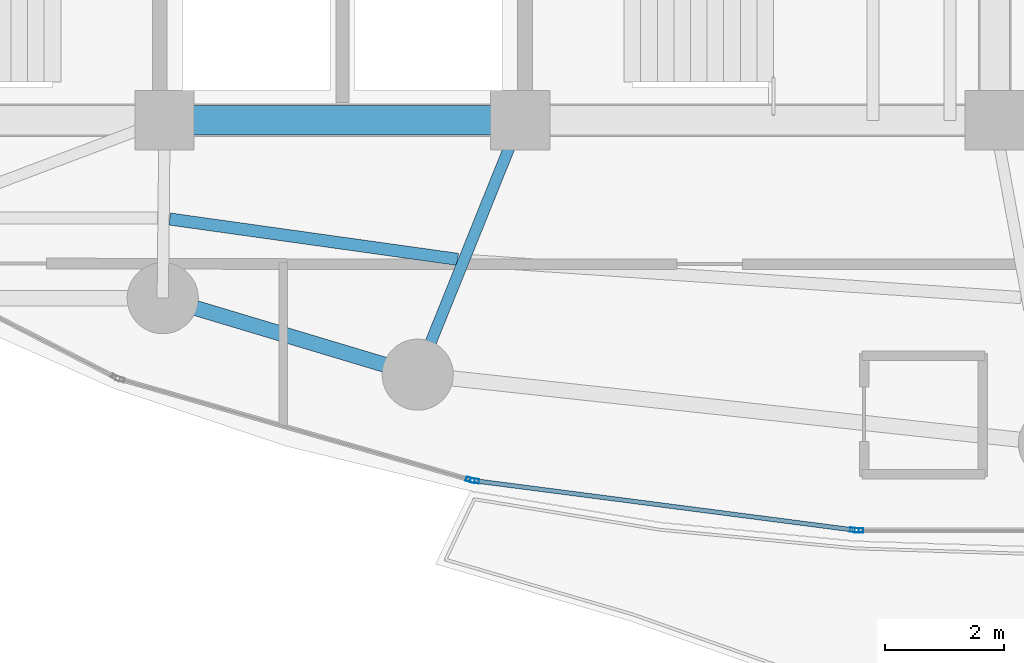
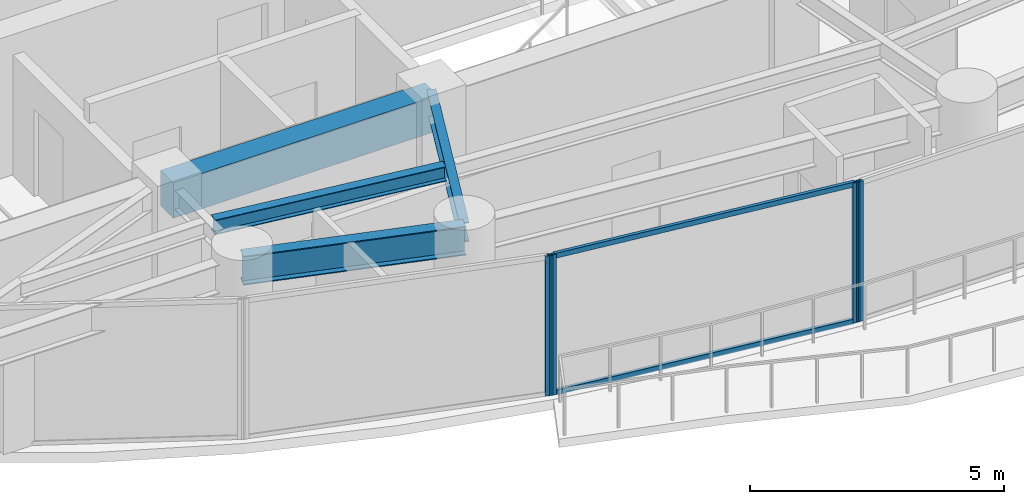
# One storey, part 5 of 30: 6 members, 4 beams, 3 elements without a shape of their own.
"""IFC4 building model written with IfcOpenShell, lengths in metres."""

from ifc_helpers import new_model, si_unit, direction, frame, origin, origin_2d, place, context, subcontext, project, spatial, rectangle, hollow_rectangle, i_section, extrude, material, layer, layer_set, material_profile, profile_set, type_object, element, aggregate, save


model = new_model("IFC4")

# Units and contexts
model_context = context("Model", 3, precision=1e-05, world=origin(), true_north=direction((0.0, 1.0)))
body_context = subcontext(model_context, "Body", "Model", "MODEL_VIEW")
ifc_project = project(units=[si_unit("LENGTHUNIT", "METRE"), si_unit("AREAUNIT", "SQUARE_METRE"), si_unit("VOLUMEUNIT", "CUBIC_METRE"), si_unit("PLANEANGLEUNIT", "RADIAN"), si_unit("MASSUNIT", "GRAM", prefix="KILO")], contexts=[model_context])

# Site, building, storey
site_placement = place(None, origin())
site = spatial("IfcSite", under=ifc_project, at=site_placement, CompositionType="ELEMENT")
building_placement = place(site_placement, origin())
building = spatial("IfcBuilding", under=site, at=building_placement, Name="Kazevale Care Tower and Concert Hall", CompositionType="ELEMENT")
storey_placement = place(building_placement, frame((0.0, 0.0, 113.39990234375)))
storey = spatial("IfcBuildingStorey", under=building, at=storey_placement, Name="L29", CompositionType="ELEMENT", Elevation=113.39990234375)

# Curtain wall, member
ifc_material_1 = material(Name="Aluminium 6063-T6 and Low-E Glass", Category="aluminium")
ifc_layer = layer(ifc_material_1, 0.179931640625)
ifc_layer_set = layer_set([ifc_layer], Name="Aluminium 6063-T6 and Low-E Glass")
curtain_wall_type = type_object("IfcCurtainWallType", Name="Sheltered Concave Balcony Curtain Wall CW-5", PredefinedType="NOTDEFINED", material=ifc_layer_set)
curtain_wall_1_placement = place(storey_placement, origin())
curtain_wall_1 = element("IfcCurtainWall", 1, at=curtain_wall_1_placement, inside=storey, type_object=curtain_wall_type, Name="cw:L29:f06", PredefinedType="NOTDEFINED")
ifc_material_2 = material(Name="Aluminium 6063-T6", Category="aluminium")
ifc_material_profile_1 = material_profile(ifc_material_2, hollow_rectangle(XDim=0.074951171875, YDim=0.14990234375, WallThickness=0.00390625, at=origin_2d()), Name="ALU75x150x4")
ifc_profile_set_1 = profile_set([ifc_material_profile_1], Name="Aluminium 6063-T6")
member_type_1 = type_object("IfcMemberType", Name="CW-5 Mullion ALU75x150x4", PredefinedType="MULLION", material=ifc_profile_set_1)
member_1_placement = place(storey_placement, frame((41.71240234375, 16.68408203125, 0.0), z_axis=(0.0, 0.0, 1.0), x_axis=(0.0, -1.0, 0.0)))
member_1 = element("IfcMember", 2, at=member_1_placement, type_object=member_type_1, Name="CW-5 mullion 2", PredefinedType="MULLION", context=body_context, shape_type="SweptSolid", body=[
    extrude(hollow_rectangle(XDim=0.074951171875, YDim=0.14990234375, WallThickness=0.00390625, at=origin_2d()), origin(), (0.0, 0.0, 1.0), 3.360107421875),
])
aggregate(curtain_wall_1, [member_1])

# Curtain wall, members
curtain_wall_2_placement = place(storey_placement, origin())
curtain_wall_2 = element("IfcCurtainWall", 3, at=curtain_wall_2_placement, inside=storey, type_object=curtain_wall_type, Name="cw:L29:f07", PredefinedType="NOTDEFINED")
member_2_placement = place(storey_placement, frame((41.6376953125, 16.688720703125, 0.0), z_axis=(0.0, 0.0, 1.0), x_axis=(-0.12868500567, -0.991685519364, 0.0)))
member_2 = element("IfcMember", 4, at=member_2_placement, type_object=member_type_1, Name="CW-5 mullion 1", PredefinedType="MULLION", context=body_context, shape_type="SweptSolid", body=[
    extrude(hollow_rectangle(XDim=0.074951171875, YDim=0.14990234375, WallThickness=0.00390625, at=origin_2d()), origin(), (0.0, 0.0, 1.0), 3.360107421875),
])
member_3_placement = place(storey_placement, frame((35.231201171875, 17.520263671875, 0.0), z_axis=(0.0, 0.0, 1.0), x_axis=(-0.12868500567, -0.991685519364, 0.0)))
member_3 = element("IfcMember", 5, at=member_3_placement, type_object=member_type_1, Name="CW-5 mullion 2", PredefinedType="MULLION", context=body_context, shape_type="SweptSolid", body=[
    extrude(hollow_rectangle(XDim=0.074951171875, YDim=0.14990234375, WallThickness=0.00390625, at=origin_2d()), origin(), (0.0, 0.0, 1.0), 3.360107421875),
])

# Curtain wall, member
curtain_wall_3_placement = place(storey_placement, origin())
curtain_wall_3 = element("IfcCurtainWall", 6, at=curtain_wall_3_placement, inside=storey, type_object=curtain_wall_type, Name="cw:L29:f08", PredefinedType="NOTDEFINED")
member_4_placement = place(storey_placement, frame((35.157958984375, 17.535400390625, 0.0), z_axis=(0.0, 0.0, 1.0), x_axis=(-0.276290733172, -0.961074102639, 0.0)))
member_4 = element("IfcMember", 7, at=member_4_placement, type_object=member_type_1, Name="CW-5 mullion 1", PredefinedType="MULLION", context=body_context, shape_type="SweptSolid", body=[
    extrude(hollow_rectangle(XDim=0.074951171875, YDim=0.14990234375, WallThickness=0.00390625, at=origin_2d()), origin(), (0.0, 0.0, 1.0), 3.360107421875),
])
aggregate(curtain_wall_3, [member_4])

# Member
ifc_material_profile_2 = material_profile(ifc_material_2, hollow_rectangle(XDim=0.074951171875, YDim=0.1201171875, WallThickness=0.00390625, at=origin_2d()), Name="ALU75x120x4")
ifc_profile_set_2 = profile_set([ifc_material_profile_2], Name="Aluminium 6063-T6")
member_type_2 = type_object("IfcMemberType", Name="CW-5 Transom ALU75x120x4", PredefinedType="USERDEFINED", material=ifc_profile_set_2)
member_5_placement = place(storey_placement, frame((41.6005859375, 16.693603515625, 0.03759765625), z_axis=(-0.991683991743, 0.12869677743, 0.0), x_axis=(-0.12869677743, -0.991683991743, 0.0)))
member_5 = element("IfcMember", 8, at=member_5_placement, type_object=member_type_2, Name="CW-5 transom 1.1", ObjectType="TRANSOM", PredefinedType="USERDEFINED", context=body_context, shape_type="SweptSolid", body=[
    extrude(hollow_rectangle(XDim=0.074951171875, YDim=0.1201171875, WallThickness=0.00390625, at=origin_2d()), origin(), (0.0, 0.0, 1.0), 6.385498046875),
])

member_6_placement = place(storey_placement, frame((41.6005859375, 16.693603515625, 3.322509765625), z_axis=(-0.991683991743, 0.12869677743, 0.0), x_axis=(-0.12869677743, -0.991683991743, 0.0)))
member_6 = element("IfcMember", 9, at=member_6_placement, type_object=member_type_2, Name="CW-5 transom 1.2", ObjectType="TRANSOM", PredefinedType="USERDEFINED", context=body_context, shape_type="SweptSolid", body=[
    extrude(hollow_rectangle(XDim=0.074951171875, YDim=0.1201171875, WallThickness=0.00390625, at=origin_2d()), origin(), (0.0, 0.0, 1.0), 6.385498046875),
])

aggregate(curtain_wall_2, [member_2, member_3, member_5, member_6])

# Beams
ifc_material_3 = material(Name="Concrete C60", Category="concrete")
ifc_material_profile_3 = material_profile(ifc_material_3, rectangle(XDim=0.5, YDim=0.85009765625, at=origin_2d()), Name="RC-B500x850")
ifc_profile_set_3 = profile_set([ifc_material_profile_3], Name="Concrete C60")
beam_type_1 = type_object("IfcBeamType", Name="Core Coupling Beam RC500x850", PredefinedType="LINTEL", material=ifc_profile_set_3)
beam_1_placement = place(storey_placement, frame((30.0, 23.60009765625, 2.93505859375), z_axis=(1.0, 0.0, 0.0), x_axis=(0.0, 1.0, 0.0)))
element("IfcBeam", 10, at=beam_1_placement, inside=storey, type_object=beam_type_1, Name="beam:L29:coretie:2", PredefinedType="LINTEL", context=body_context, shape_type="SweptSolid", body=[
    extrude(rectangle(XDim=0.5, YDim=0.85009765625, at=origin_2d()), origin(), (0.0, 0.0, 1.0), 6.0),
])
ifc_material_4 = material(Name="Steel ASTM A572 Gr 50", Category="steel")
ifc_material_profile_4 = material_profile(ifc_material_4, i_section(OverallWidth=0.19091796875, OverallDepth=0.4599609375, WebThickness=0.010009765625, FlangeThickness=0.01611328125, at=origin_2d()), Name="W460x82")
ifc_profile_set_4 = profile_set([ifc_material_profile_4], Name="Steel ASTM A572 Gr 50")
beam_type_2 = type_object("IfcBeamType", Name="Radial Floor Beam W460x82", PredefinedType="BEAM", material=ifc_profile_set_4)
beam_2_placement = place(storey_placement, frame((36.0, 23.60009765625, 3.130126953125), z_axis=(-0.373991766452, -0.927432023722, 0.0), x_axis=(0.927432023722, -0.373991766452, 0.0)))
element("IfcBeam", 11, at=beam_2_placement, inside=storey, type_object=beam_type_2, Name="beam:L29:rad:12", PredefinedType="BEAM", context=body_context, shape_type="SweptSolid", body=[
    extrude(i_section(OverallWidth=0.19091796875, OverallDepth=0.4599609375, WebThickness=0.010009765625, FlangeThickness=0.01611328125, at=origin_2d()), origin(), (0.0, 0.0, 1.0), 4.625732421875),
])
ifc_material_profile_5 = material_profile(ifc_material_4, i_section(OverallWidth=0.205078125, OverallDepth=0.35400390625, WebThickness=0.009521484375, FlangeThickness=0.016845703125, at=origin_2d()), Name="W360x79")
ifc_profile_set_5 = profile_set([ifc_material_profile_5], Name="Steel ASTM A572 Gr 50")
beam_type_3 = type_object("IfcBeamType", Name="Secondary Floor Joist W360x79", PredefinedType="JOIST", material=ifc_profile_set_5)
beam_3_placement = place(storey_placement, frame((30.0869140625, 21.93505859375, 3.18310546875), z_axis=(0.990340789942, -0.138654678164, 0.0), x_axis=(0.138654678164, 0.990340789942, 0.0)))
element("IfcBeam", 12, at=beam_3_placement, inside=storey, type_object=beam_type_3, Name="beam:L29:joist:11", PredefinedType="JOIST", context=body_context, shape_type="SweptSolid", body=[
    extrude(i_section(OverallWidth=0.205078125, OverallDepth=0.35400390625, WebThickness=0.009521484375, FlangeThickness=0.016845703125, at=origin_2d()), origin(), (0.0, 0.0, 1.0), 4.905517578125),
])
ifc_material_profile_6 = material_profile(ifc_material_4, i_section(OverallWidth=0.256103515625, OverallDepth=0.693115234375, WebThickness=0.014404296875, FlangeThickness=0.023681640625, at=origin_2d()), Name="W690x170")
ifc_profile_set_6 = profile_set([ifc_material_profile_6], Name="Steel ASTM A572 Gr 50")
beam_type_4 = type_object("IfcBeamType", Name="Waist Ring Beam W690x170", PredefinedType="BEAM", material=ifc_profile_set_6)
beam_4_placement = place(storey_placement, frame((29.969970703125, 20.60009765625, 3.013671875), z_axis=(0.957824788464, -0.287352874709, 0.0), x_axis=(0.287352874709, 0.957824788464, 0.0)))
element("IfcBeam", 13, at=beam_4_placement, inside=storey, type_object=beam_type_4, Name="beam:L29:ring:11", PredefinedType="BEAM", context=body_context, shape_type="SweptSolid", body=[
    extrude(i_section(OverallWidth=0.256103515625, OverallDepth=0.693115234375, WebThickness=0.014404296875, FlangeThickness=0.023681640625, at=origin_2d()), origin(), (0.0, 0.0, 1.0), 4.489501953125),
])

save(model, "model.ifc")
